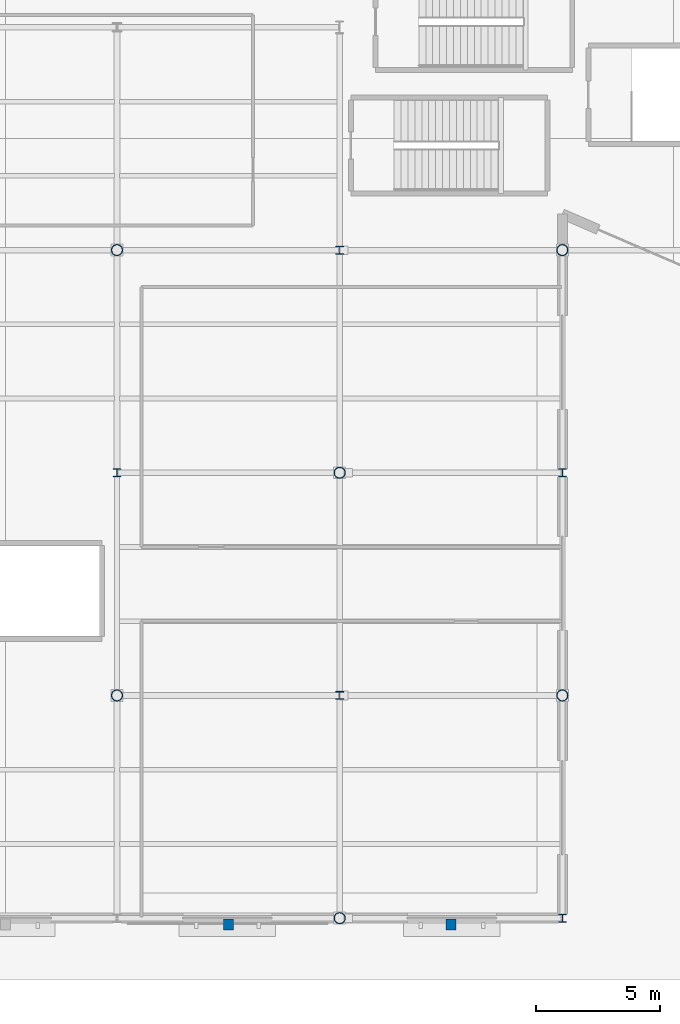
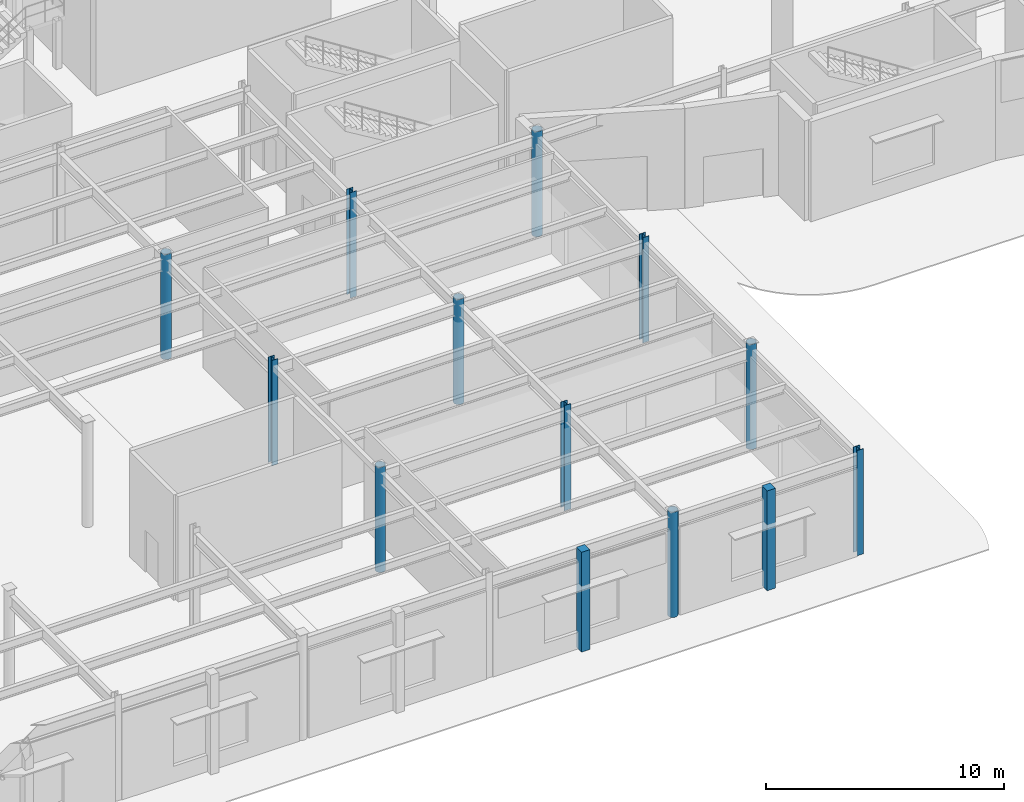
# One storey, part 2 of 79: 13 columns.
"""IFC4 building model written with IfcOpenShell, lengths in metres."""

import ifcopenshell
import ifcopenshell.guid

model = None  # the IFC model being written
_history = None  # IfcOwnerHistory: only IFC2X3 demands one
_inside = {}  # id of a spatial element -> (the spatial element, [elements in it])
_under = {}  # id of a project, library or spatial element -> (it, [spatial elements below it])
_declared = {}  # id of a project -> (the project, [libraries it declares])
_typed = {}  # id of a type object -> (the type object, [elements of that type])
_made_of = {}  # id of a material, layer set ... -> (it, [elements and type objects made of it])


def new_model(schema):
    """Start an empty IFC model of exactly this schema.

    Asked for "IFC4X3", IfcOpenShell would pick the latest addendum, in which some entities
    have other attributes; the version numbers below select the first issue.
    IFC2X3 requires an IfcOwnerHistory on every rooted entity: one is made here for all.
    """
    global model, _history
    if schema == "IFC4X3":
        model = ifcopenshell.file(schema_version=(4, 3, 0, 0))
    else:
        model = ifcopenshell.file(schema=schema)
    _inside.clear()
    _under.clear()
    _declared.clear()
    _typed.clear()
    _made_of.clear()
    _history = None
    if model.schema == "IFC2X3":
        org = make("IfcOrganization", Name="unknown")
        user = make(
            "IfcPersonAndOrganization",
            ThePerson=make("IfcPerson", FamilyName="unknown"),
            TheOrganization=org,
        )
        app = make(
            "IfcApplication",
            ApplicationDeveloper=org,
            Version="unknown",
            ApplicationFullName="unknown",
            ApplicationIdentifier="unknown",
        )
        _history = make(
            "IfcOwnerHistory",
            OwningUser=user,
            OwningApplication=app,
            ChangeAction="ADDED",
            CreationDate=0,
        )
    return model


def make(cls, **values):
    """One entity of the class cls with the attributes given. An attribute that is None is left unset."""
    return model.create_entity(
        cls, **{name: value for name, value in values.items() if value is not None}
    )


def rooted(cls, **values):
    """An entity with a GlobalId (a new one), such as an element, a storey or a relation."""
    return make(cls, GlobalId=ifcopenshell.guid.new(), OwnerHistory=_history, **values)


def si_unit(unit_type, name, prefix=None):
    """IfcSIUnit, for example si_unit("LENGTHUNIT", "METRE", prefix="MILLI")."""
    return make("IfcSIUnit", UnitType=unit_type, Prefix=prefix, Name=name)


def assignment(units):
    """IfcUnitAssignment: the units of a project."""
    return None if units is None else make("IfcUnitAssignment", Units=units)


def point(xyz):
    """IfcCartesianPoint."""
    return None if xyz is None else make("IfcCartesianPoint", Coordinates=xyz)


def direction(xyz):
    """IfcDirection."""
    return None if xyz is None else make("IfcDirection", DirectionRatios=xyz)


def frame(location, z_axis=None, x_axis=None):
    """IfcAxis2Placement3D, a coordinate frame: its origin and axes. An axis left out is left unset."""
    return make(
        "IfcAxis2Placement3D",
        Location=point(location),
        Axis=direction(z_axis),
        RefDirection=direction(x_axis),
    )


def frame_2d(location, x_axis=None):
    """IfcAxis2Placement2D, a coordinate frame in the plane: its origin and x axis."""
    return make(
        "IfcAxis2Placement2D", Location=point(location), RefDirection=direction(x_axis)
    )


def origin():
    """The frame at (0, 0, 0) with its axes left unset."""
    return frame((0.0, 0.0, 0.0))


def origin_2d():
    """The frame at (0, 0) in the plane with its x axis left unset."""
    return frame_2d((0.0, 0.0))


def place(relative_to, where):
    """IfcLocalPlacement: puts the frame where relative to a parent placement (None: the world)."""
    return make(
        "IfcLocalPlacement", PlacementRelTo=relative_to, RelativePlacement=where
    )


def context(
    kind, dimensions, precision=None, world=None, true_north=None, identifier=None
):
    """IfcGeometricRepresentationContext, for example the 3D "Model" context."""
    return make(
        "IfcGeometricRepresentationContext",
        ContextIdentifier=identifier,
        ContextType=kind,
        CoordinateSpaceDimension=dimensions,
        Precision=precision,
        WorldCoordinateSystem=world,
        TrueNorth=true_north,
    )


def subcontext(parent, identifier, kind, view, scale=None):
    """IfcGeometricRepresentationSubContext, for example "Body" below "Model"."""
    return make(
        "IfcGeometricRepresentationSubContext",
        ContextIdentifier=identifier,
        ContextType=kind,
        ParentContext=parent,
        TargetScale=scale,
        TargetView=view,
    )


def project(units=None, contexts=None):
    """IfcProject with its units and contexts."""
    return rooted(
        "IfcProject",
        Name="project",
        RepresentationContexts=contexts,
        UnitsInContext=assignment(units),
    )


def spatial(cls, under=None, at=None, **own):
    """A site, building, storey or space (cls), placed at a placement, below another one or the project."""
    s = rooted(cls, ObjectPlacement=at, **own)
    if under is not None:
        _under.setdefault(under.id(), (under, []))[1].append(s)
    return s


def profile(cls, at=None, kind="AREA", **sizes):
    """A parametric profile (cls). Its sizes go by their IFC names, for example OverallWidth=200.0."""
    return make(cls, ProfileType=kind, Position=at, **sizes)


def rectangle(**sizes):
    """IfcRectangleProfileDef."""
    return profile("IfcRectangleProfileDef", **sizes)


def hollow_circle(**sizes):
    """IfcCircleHollowProfileDef."""
    return profile("IfcCircleHollowProfileDef", **sizes)


def i_section(**sizes):
    """IfcIShapeProfileDef."""
    return profile("IfcIShapeProfileDef", **sizes)


def extrude(swept, where, along, depth):
    """IfcExtrudedAreaSolid: the profile swept, set in the frame where, extruded along a direction by depth."""
    return make(
        "IfcExtrudedAreaSolid",
        SweptArea=swept,
        Position=where,
        ExtrudedDirection=direction(along),
        Depth=depth,
    )


def shape(context_of_items, identifier, shape_type, items):
    """IfcShapeRepresentation: the items that make up one representation, for example the "Body"."""
    return make(
        "IfcShapeRepresentation",
        ContextOfItems=context_of_items,
        RepresentationIdentifier=identifier,
        RepresentationType=shape_type,
        Items=items,
    )


def material(Name=None, Category=None):
    """IfcMaterial."""
    return make("IfcMaterial", Name=Name, Category=Category)


def material_profile(
    of_material, cross_section, Name=None, Category=None, Priority=None
):
    """IfcMaterialProfile: a cross section and its material."""
    return make(
        "IfcMaterialProfile",
        Name=Name,
        Material=of_material,
        Profile=cross_section,
        Priority=Priority,
        Category=Category,
    )


def profile_set(profiles, Name=None, composite=None):
    """IfcMaterialProfileSet."""
    return make(
        "IfcMaterialProfileSet",
        Name=Name,
        MaterialProfiles=profiles,
        CompositeProfile=composite,
    )


def made_of(thing, what):
    """Note that an element or type object is made of a material, layer set ...; save() writes the relation."""
    if what is not None:
        _made_of.setdefault(what.id(), (what, []))[1].append(thing)
    return thing


def type_object(cls, material=None, **own):
    """A type object (cls), such as IfcWallType, which elements share."""
    return made_of(rooted(cls, **own), material)


def element(
    cls,
    number,
    at=None,
    inside=None,
    cuts=None,
    type_object=None,
    material=None,
    context=None,
    identifier="Body",
    shape_type=None,
    held_by="IfcProductDefinitionShape",
    body=None,
    shapes=None,
    **own,
):
    """One element of the class cls, such as IfcWall. Its Tag is "e" and its number.

    at: its placement. inside: the storey or other place that contains it. cuts: it is an
    opening in that element (IfcRelVoidsElement). A single representation is given by context,
    identifier, shape_type and body (its items); several are given by shapes. held_by: the class
    of the entity that holds the representations. save() writes the other relations.
    """
    e = rooted(cls, Tag="e%d" % number, ObjectPlacement=at, **own)
    if body is not None:
        shapes = [shape(context, identifier, shape_type, body)]
    if shapes is not None:
        e.Representation = make(held_by, Representations=shapes)
    if inside is not None:
        _inside.setdefault(inside.id(), (inside, []))[1].append(e)
    if cuts is not None:
        rooted(
            "IfcRelVoidsElement", RelatingBuildingElement=cuts, RelatedOpeningElement=e
        )
    if type_object is not None:
        _typed.setdefault(type_object.id(), (type_object, []))[1].append(e)
    return made_of(e, material)


def aggregate(whole, parts):
    """IfcRelAggregates: a whole, such as a stair, and the parts it consists of."""
    return rooted("IfcRelAggregates", RelatingObject=whole, RelatedObjects=parts)


def save(model, path):
    """Write the relations noted so far, then the file.

    IfcRelAggregates (storeys below a building ...), IfcRelContainedInSpatialStructure (elements
    in a storey), IfcRelDefinesByType, IfcRelAssociatesMaterial and IfcRelDeclares: one each for
    every whole, place, type object, material and project.
    """
    for whole, parts in _under.values():
        aggregate(whole, parts)
    for where, things in _inside.values():
        rooted(
            "IfcRelContainedInSpatialStructure",
            RelatedElements=things,
            RelatingStructure=where,
        )
    for kind, things in _typed.values():
        rooted("IfcRelDefinesByType", RelatedObjects=things, RelatingType=kind)
    for what, things in _made_of.values():
        rooted("IfcRelAssociatesMaterial", RelatedObjects=things, RelatingMaterial=what)
    for by, libraries in _declared.values():
        rooted("IfcRelDeclares", RelatingContext=by, RelatedDefinitions=libraries)
    model.write(path)


model = new_model("IFC4")

# Units and contexts
model_context = context("Model", 3, precision=1e-05, world=origin(), true_north=direction((0.0, 1.0)))
body_context = subcontext(model_context, "Body", "Model", "MODEL_VIEW")
ifc_project = project(units=[si_unit("LENGTHUNIT", "METRE"), si_unit("AREAUNIT", "SQUARE_METRE"), si_unit("VOLUMEUNIT", "CUBIC_METRE"), si_unit("PLANEANGLEUNIT", "RADIAN"), si_unit("MASSUNIT", "GRAM", prefix="KILO")], contexts=[model_context])

# Site, building, storey
site_placement = place(None, origin())
site = spatial("IfcSite", under=ifc_project, at=site_placement, CompositionType="ELEMENT")
building_placement = place(site_placement, origin())
building = spatial("IfcBuilding", under=site, at=building_placement, Name="Glasvene Arena", CompositionType="ELEMENT")
storey_placement = place(building_placement, origin())
storey = spatial("IfcBuildingStorey", under=building, at=storey_placement, Name="L00", CompositionType="ELEMENT", Elevation=0.0)

# Columns
ifc_material_1 = material(Name="Steel S355J2", Category="steel")
ifc_material_profile_1 = material_profile(ifc_material_1, hollow_circle(Radius=0.228515625, WallThickness=0.02001953125, at=origin_2d()), Name="CHS 457.0x20.0")
ifc_profile_set_1 = profile_set([ifc_material_profile_1], Name="Steel S355J2")
column_type_1 = type_object("IfcColumnType", Name="COL-W-CHS457", PredefinedType="COLUMN", material=ifc_profile_set_1)
for number, where, z_axis, x_axis, name in (
    (1, (36.0, 9.0, 0.0), (0.0, 0.0, 1.0), (1.0, 0.0, 0.0), "Grid column 5-2 L00"),
    (2, (36.0, 27.0, 0.0), (0.0, 0.0, 1.0), (1.0, 0.0, 0.0), "Grid column 5-4 L00"),
    (3, (45.0, 0.0, 0.0), (0.0, 0.0, 1.0), (1.0, 0.0, 0.0), "Grid column 6-1 L00"),
    (4, (45.0, 18.0, 0.0), (0.0, 0.0, 1.0), (1.0, 0.0, 0.0), "Grid column 6-3 L00"),
    (5, (54.0, 9.0, 0.0), (0.0, 0.0, 1.0), (1.0, 0.0, 0.0), "Grid column 7-2 L00"),
    (6, (54.0, 27.0, 0.0), (0.0, 0.0, 1.0), (1.0, 0.0, 0.0), "Grid column 7-4 L00"),
):
    element("IfcColumn", number, at=place(storey_placement, frame(where, z_axis=z_axis, x_axis=x_axis)), inside=storey, type_object=column_type_1, Name=name, PredefinedType="COLUMN", context=body_context, shape_type="SweptSolid", body=[
        extrude(hollow_circle(Radius=0.228515625, WallThickness=0.02001953125, at=origin_2d()), origin(), (0.0, 0.0, 1.0), 5.39990234375),
    ])
ifc_material_profile_2 = material_profile(ifc_material_1, i_section(OverallWidth=0.30908203125, OverallDepth=0.320556640625, WebThickness=0.013916015625, FlangeThickness=0.021728515625, FilletRadius=0.01513671875, at=origin_2d()), Name="UKC 305x305x137")
ifc_profile_set_2 = profile_set([ifc_material_profile_2], Name="Steel S355J2")
column_type_2 = type_object("IfcColumnType", Name="COL-W-UKC137", PredefinedType="COLUMN", material=ifc_profile_set_2)
for number, where, z_axis, x_axis, name in (
    (7, (36.0, 18.0, 0.0), (0.0, 0.0, 1.0), (1.0, 0.0, 0.0), "Grid column 5-3 L00"),
    (8, (45.0, 9.0, 0.0), (0.0, 0.0, 1.0), (1.0, 0.0, 0.0), "Grid column 6-2 L00"),
    (9, (45.0, 27.0, 0.0), (0.0, 0.0, 1.0), (1.0, 0.0, 0.0), "Grid column 6-4 L00"),
    (10, (54.0, 0.0, 0.0), (0.0, 0.0, 1.0), (1.0, 0.0, 0.0), "Grid column 7-1 L00"),
    (11, (54.0, 18.0, 0.0), (0.0, 0.0, 1.0), (1.0, 0.0, 0.0), "Grid column 7-3 L00"),
):
    element("IfcColumn", number, at=place(storey_placement, frame(where, z_axis=z_axis, x_axis=x_axis)), inside=storey, type_object=column_type_2, Name=name, PredefinedType="COLUMN", context=body_context, shape_type="SweptSolid", body=[
        extrude(i_section(OverallWidth=0.30908203125, OverallDepth=0.320556640625, WebThickness=0.013916015625, FlangeThickness=0.021728515625, FilletRadius=0.01513671875, at=origin_2d()), origin(), (0.0, 0.0, 1.0), 5.39990234375),
    ])
ifc_material_2 = material(Name="Precast concrete C50/60", Category="concrete")
ifc_material_profile_3 = material_profile(ifc_material_2, rectangle(XDim=0.39990234375, YDim=0.449951171875, at=origin_2d()), Name="RC 400x450")
ifc_profile_set_3 = profile_set([ifc_material_profile_3], Name="Precast concrete C50/60")
column_type_3 = type_object("IfcColumnType", Name="PIL-LIM-400", PredefinedType="PILASTER", material=ifc_profile_set_3)
for number, where, z_axis, x_axis, name in (
    (12, (40.5, -0.260009765625, 0.0), (0.0, 0.0, 1.0), (1.0, 0.0, 0.0), "Limestone pilaster PL-05 L00"),
    (13, (49.5, -0.260009765625, 0.0), (0.0, 0.0, 1.0), (1.0, 0.0, 0.0), "Limestone pilaster PL-06 L00"),
):
    element("IfcColumn", number, at=place(storey_placement, frame(where, z_axis=z_axis, x_axis=x_axis)), inside=storey, type_object=column_type_3, Name=name, PredefinedType="PILASTER", context=body_context, shape_type="SweptSolid", body=[
        extrude(rectangle(XDim=0.39990234375, YDim=0.449951171875, at=origin_2d()), origin(), (0.0, 0.0, 1.0), 5.1201171875),
    ])

save(model, "model.ifc")
